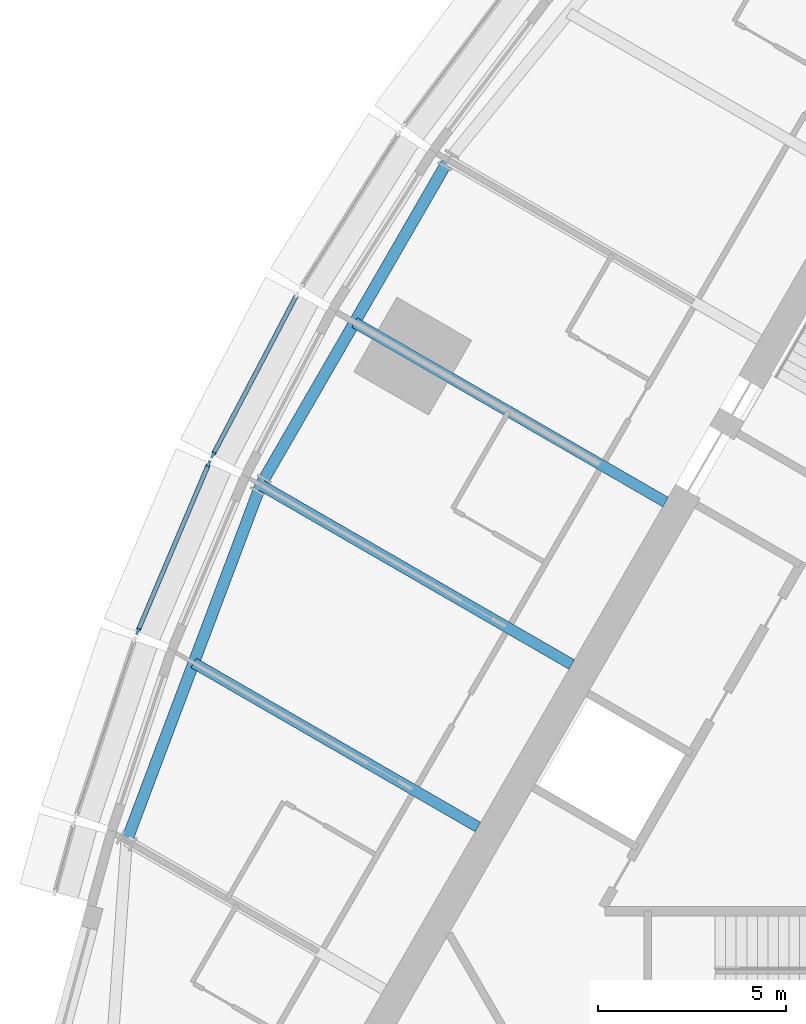
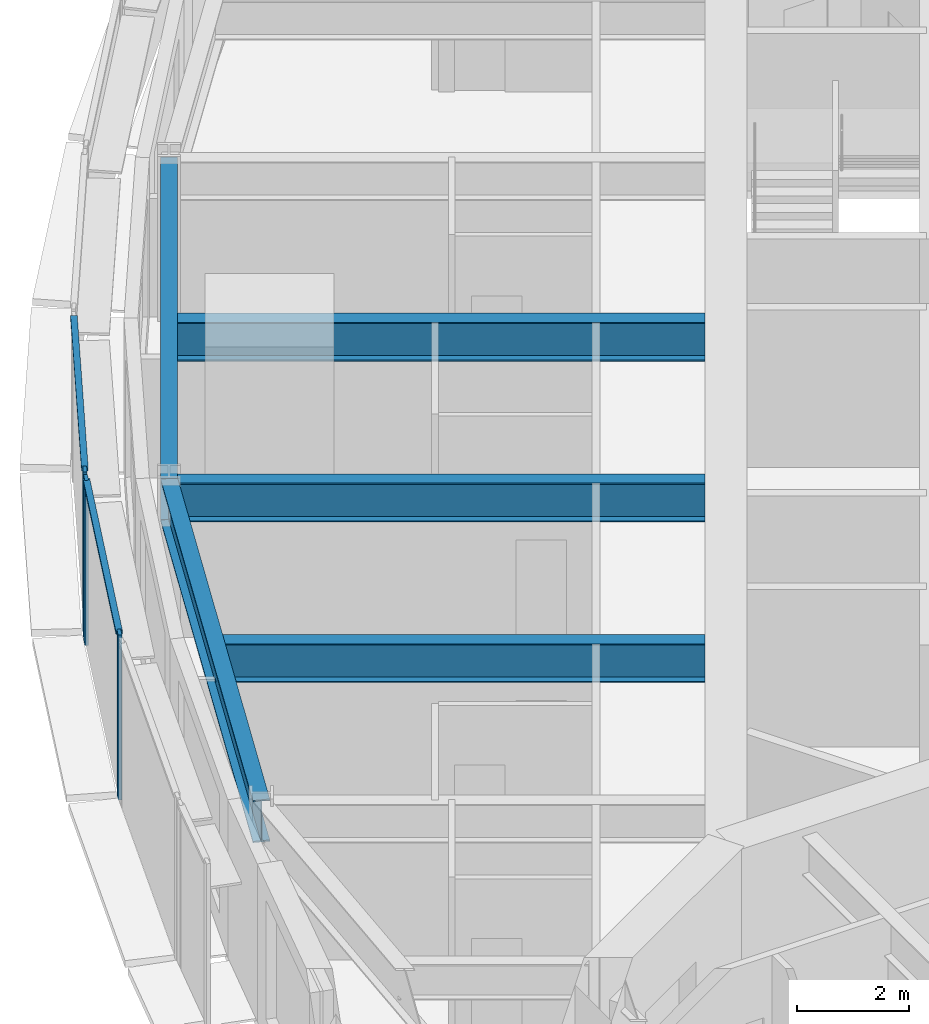
# One storey, part 3 of 15: 5 beams, 5 members, 2 elements without a shape of their own.
"""IFC4 building model written with IfcOpenShell, lengths in metres."""

from ifc_helpers import new_model, si_unit, direction, frame, origin, origin_2d, place, context, subcontext, project, spatial, rectangle, i_section, extrude, material, material_profile, profile_set, type_object, element, aggregate, save


model = new_model("IFC4")

# Units and contexts
model_context = context("Model", 3, precision=1e-05, world=origin(), true_north=direction((0.0, 1.0)))
body_context = subcontext(model_context, "Body", "Model", "MODEL_VIEW")
ifc_project = project(units=[si_unit("LENGTHUNIT", "METRE"), si_unit("AREAUNIT", "SQUARE_METRE"), si_unit("VOLUMEUNIT", "CUBIC_METRE"), si_unit("PLANEANGLEUNIT", "RADIAN"), si_unit("MASSUNIT", "GRAM", prefix="KILO")], contexts=[model_context])

# Site, building, storey
site_placement = place(None, origin())
site = spatial("IfcSite", under=ifc_project, at=site_placement, CompositionType="ELEMENT")
building_placement = place(site_placement, origin())
building = spatial("IfcBuilding", under=site, at=building_placement, Name="Trikona Tower", CompositionType="ELEMENT")
storey_placement = place(building_placement, frame((0.0, 0.0, 208.10009765625)))
storey = spatial("IfcBuildingStorey", under=building, at=storey_placement, Name="L55", CompositionType="ELEMENT", Elevation=208.10009765625)

# Curtain wall, member
ifc_material_1 = material(Name="Aluminium curtain wall system", Category="aluminium")
curtain_wall_type = type_object("IfcCurtainWallType", Name="Curtain wall DS3", PredefinedType="NOTDEFINED", material=ifc_material_1)
curtain_wall_1_placement = place(storey_placement, origin())
curtain_wall_1 = element("IfcCurtainWall", 1, at=curtain_wall_1_placement, inside=storey, type_object=curtain_wall_type, Name="Curtain wall DS3 L55", PredefinedType="NOTDEFINED")
ifc_material_2 = material(Name="Aluminium mullion, pale anodised", Category="aluminium")
ifc_material_profile_1 = material_profile(ifc_material_2, rectangle(XDim=0.070068359375, YDim=0.179931640625, at=origin_2d()), Name="MUL-DS3")
ifc_profile_set_1 = profile_set([ifc_material_profile_1], Name="Aluminium mullion, pale anodised")
member_type_1 = type_object("IfcMemberType", Name="Mullion DS3 70x180", PredefinedType="MULLION", material=ifc_profile_set_1)
member_1_placement = place(storey_placement, frame((-20.635986328125, 6.20751953125, 0.0), z_axis=(0.0, 0.0, 1.0), x_axis=(0.885862390527, -0.463948084434, 0.0)))
member_1 = element("IfcMember", 2, at=member_1_placement, type_object=member_type_1, Name="CW-DS3 mullion 2", PredefinedType="MULLION", context=body_context, shape_type="SweptSolid", body=[
    extrude(rectangle(XDim=0.070068359375, YDim=0.179931640625, at=origin_2d()), origin(), (0.0, 0.0, 1.0), 3.599853515625),
])

# Curtain wall, members
curtain_wall_2_placement = place(storey_placement, origin())
curtain_wall_2 = element("IfcCurtainWall", 3, at=curtain_wall_2_placement, inside=storey, type_object=curtain_wall_type, Name="Curtain wall DS3 L55", PredefinedType="NOTDEFINED")
member_2_placement = place(storey_placement, frame((-20.74853515625, 5.969482421875, 0.0), z_axis=(0.0, 0.0, 1.0), x_axis=(0.920792322808, -0.390053199266, 0.0)))
member_2 = element("IfcMember", 4, at=member_2_placement, type_object=member_type_1, Name="CW-DS3 mullion 1", PredefinedType="MULLION", context=body_context, shape_type="SweptSolid", body=[
    extrude(rectangle(XDim=0.070068359375, YDim=0.179931640625, at=origin_2d()), origin(), (0.0, 0.0, 1.0), 3.599853515625),
])
member_3_placement = place(storey_placement, frame((-22.6396484375, 1.50537109375, 0.0), z_axis=(0.0, 0.0, 1.0), x_axis=(0.920792322808, -0.390053199266, 0.0)))
member_3 = element("IfcMember", 5, at=member_3_placement, type_object=member_type_1, Name="CW-DS3 mullion 2", PredefinedType="MULLION", context=body_context, shape_type="SweptSolid", body=[
    extrude(rectangle(XDim=0.070068359375, YDim=0.179931640625, at=origin_2d()), origin(), (0.0, 0.0, 1.0), 3.599853515625),
])

# Beams
ifc_material_3 = material(Name="Steel ASTM A992 Grade 50", Category="steel")
ifc_material_profile_2 = material_profile(ifc_material_3, i_section(OverallWidth=0.2919921875, OverallDepth=0.845703125, WebThickness=0.015380859375, FlangeThickness=0.0244140625, at=origin_2d()), Name="W33X141")
ifc_profile_set_2 = profile_set([ifc_material_profile_2], Name="Steel ASTM A992 Grade 50")
beam_type_1 = type_object("IfcBeamType", Name="Steel beam W33x141 (radial typ)", PredefinedType="BEAM", material=ifc_profile_set_2)
for number, where, z_axis, x_axis, name in (
    (6, (-8.57470703125, 4.95068359375, 3.011962890625), (-0.866025863714, 0.499999203377, 0.0), (-0.499999203377, -0.866025863714, 0.0), "Floor beam L56 F3 u0"),
    (7, (-11.07470703125, 0.62060546875, 3.011962890625), (-0.866025863714, 0.499999203377, 0.0), (-0.499999203377, -0.866025863714, 0.0), "Floor beam L56 F3 u5"),
):
    element("IfcBeam", number, at=place(storey_placement, frame(where, z_axis=z_axis, x_axis=x_axis)), inside=storey, type_object=beam_type_1, Name=name, PredefinedType="BEAM", context=body_context, shape_type="SweptSolid", body=[
        extrude(i_section(OverallWidth=0.2919921875, OverallDepth=0.845703125, WebThickness=0.015380859375, FlangeThickness=0.0244140625, at=origin_2d()), origin(), (0.0, 0.0, 1.0), 9.57080078125),
    ])
beam_1_placement = place(storey_placement, frame((-13.57470703125, -3.709716796875, 3.011962890625), z_axis=(-0.866013609749, 0.500020427312, 0.0), x_axis=(-0.500020427312, -0.866013609749, 0.0)))
element("IfcBeam", 8, at=beam_1_placement, inside=storey, type_object=beam_type_1, Name="Floor beam L56 F3 u10", PredefinedType="BEAM", context=body_context, shape_type="SweptSolid", body=[
    extrude(i_section(OverallWidth=0.2919921875, OverallDepth=0.845703125, WebThickness=0.015380859375, FlangeThickness=0.0244140625, at=origin_2d()), origin(), (0.0, 0.0, 1.0), 8.747314453125),
])
ifc_material_4 = material(Name="Steel ASTM A992 Grade 50", Category="steel")
ifc_material_profile_3 = material_profile(ifc_material_4, i_section(OverallWidth=0.307373046875, OverallDepth=0.922119140625, WebThickness=0.018310546875, FlangeThickness=0.030029296875, at=origin_2d()), Name="W36X182")
ifc_profile_set_3 = profile_set([ifc_material_profile_3], Name="Steel ASTM A992 Grade 50")
beam_type_2 = type_object("IfcBeamType", Name="Steel beam W36x182 (spandrel mid)", PredefinedType="SPANDREL", material=ifc_profile_set_3)
beam_2_placement = place(storey_placement, frame((-14.36328125, 14.066162109375, 2.973876953125), z_axis=(-0.500004234368, -0.866022959057, 0.0), x_axis=(0.866022959057, -0.500004234368, 0.0)))
element("IfcBeam", 9, at=beam_2_placement, inside=storey, type_object=beam_type_2, Name="Spandrel beam L56 F3-3", PredefinedType="SPANDREL", context=body_context, shape_type="SweptSolid", body=[
    extrude(i_section(OverallWidth=0.307373046875, OverallDepth=0.922119140625, WebThickness=0.018310546875, FlangeThickness=0.030029296875, at=origin_2d()), origin(), (0.0, 0.0, 1.0), 10.0),
])
beam_3_placement = place(storey_placement, frame((-19.36328125, 5.406005859375, 2.973876953125), z_axis=(-0.352596088442, -0.935775613283, 0.0), x_axis=(0.935775613283, -0.352596088442, 0.0)))
element("IfcBeam", 10, at=beam_3_placement, inside=storey, type_object=beam_type_2, Name="Spandrel beam L56 F3-4", PredefinedType="SPANDREL", context=body_context, shape_type="SweptSolid", body=[
    extrude(i_section(OverallWidth=0.307373046875, OverallDepth=0.922119140625, WebThickness=0.018310546875, FlangeThickness=0.030029296875, at=origin_2d()), origin(), (0.0, 0.0, 1.0), 10.134765625),
])

# Member
ifc_material_5 = material(Name="Aluminium transom, pale anodised", Category="aluminium")
ifc_material_profile_4 = material_profile(ifc_material_5, rectangle(XDim=0.1201171875, YDim=0.070068359375, at=origin_2d()), Name="TRN-DS3")
ifc_profile_set_4 = profile_set([ifc_material_profile_4], Name="Aluminium transom, pale anodised")
member_type_2 = type_object("IfcMemberType", Name="Transom DS3 70x120", PredefinedType="USERDEFINED", material=ifc_profile_set_4)
member_4_placement = place(storey_placement, frame((-18.418701171875, 10.44140625, 3.56494140625), z_axis=(-0.463910848027, -0.885881891158, 0.0), x_axis=(0.885881891158, -0.463910848027, 0.0)))
member_4 = element("IfcMember", 11, at=member_4_placement, type_object=member_type_2, Name="CW-DS3 transom 1.1", ObjectType="TRANSOM", PredefinedType="USERDEFINED", context=body_context, shape_type="SweptSolid", body=[
    extrude(rectangle(XDim=0.1201171875, YDim=0.070068359375, at=origin_2d()), origin(), (0.0, 0.0, 1.0), 4.744384765625),
])

aggregate(curtain_wall_1, [member_1, member_4])

member_5_placement = place(storey_placement, frame((-20.76220703125, 5.937255859375, 3.56494140625), z_axis=(-0.390061662668, -0.920788737614, 0.0), x_axis=(0.920788737614, -0.390061662668, 0.0)))
member_5 = element("IfcMember", 12, at=member_5_placement, type_object=member_type_2, Name="CW-DS3 transom 1.1", ObjectType="TRANSOM", PredefinedType="USERDEFINED", context=body_context, shape_type="SweptSolid", body=[
    extrude(rectangle(XDim=0.1201171875, YDim=0.070068359375, at=origin_2d()), origin(), (0.0, 0.0, 1.0), 4.778076171875),
])

aggregate(curtain_wall_2, [member_2, member_3, member_5])

save(model, "model.ifc")
